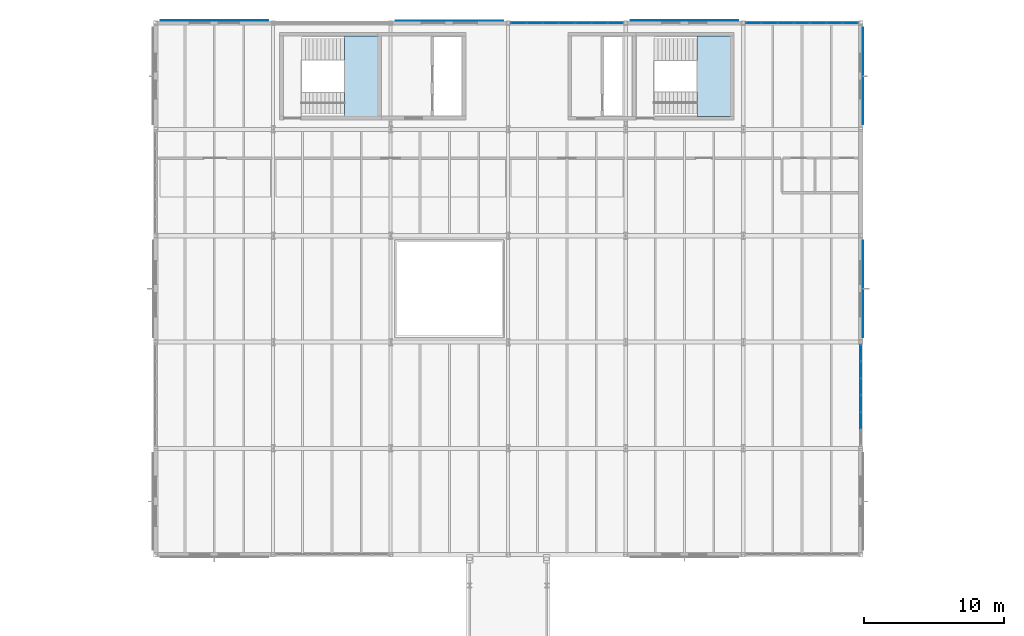
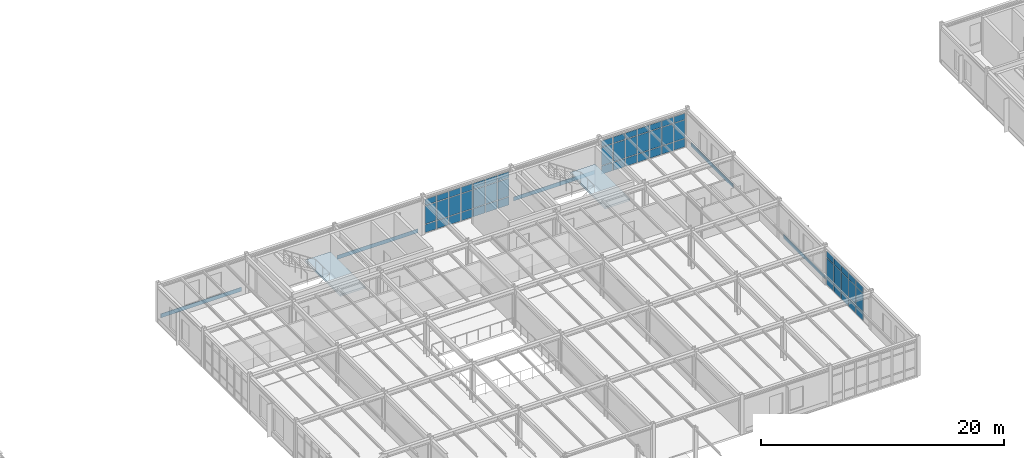
# One storey, part 128 of 165: 62 plates, 2 slabs, 5 elements without a shape of their own.
"""IFC4 building model written with IfcOpenShell, lengths in metres."""

from ifc_helpers import new_model, si_unit, direction, frame, origin, origin_2d, place, context, subcontext, project, spatial, polyline, rectangle, outline, extrude, material, layer, layer_set, type_object, element, aggregate, save


model = new_model("IFC4")

# Units and contexts
model_context = context("Model", 3, precision=1e-05, world=origin(), true_north=direction((0.0, 1.0)))
body_context = subcontext(model_context, "Body", "Model", "MODEL_VIEW")
ifc_project = project(units=[si_unit("LENGTHUNIT", "METRE"), si_unit("AREAUNIT", "SQUARE_METRE"), si_unit("VOLUMEUNIT", "CUBIC_METRE"), si_unit("PLANEANGLEUNIT", "RADIAN"), si_unit("MASSUNIT", "GRAM", prefix="KILO")], contexts=[model_context])

# Site, building, storey
site_placement = place(None, origin())
site = spatial("IfcSite", under=ifc_project, at=site_placement, CompositionType="ELEMENT")
building_placement = place(site_placement, origin())
building = spatial("IfcBuilding", under=site, at=building_placement, Name="Montecoro Central Library", CompositionType="ELEMENT")
storey_placement = place(building_placement, frame((0.0, 0.0, 5.10009765625)))
storey = spatial("IfcBuildingStorey", under=building, at=storey_placement, Name="L01", CompositionType="ELEMENT", Elevation=5.10009765625)

# Curtain wall, plates
ifc_material_1 = material(Name="Bronze-anodised aluminium and low-E glazing", Category="aluminium")
ifc_layer_1 = layer(ifc_material_1, 0.159912109375)
ifc_layer_set_1 = layer_set([ifc_layer_1], Name="Bronze-anodised aluminium and low-E glazing")
curtain_wall_type_1 = type_object("IfcCurtainWallType", Name="CWT-012", PredefinedType="NOTDEFINED", material=ifc_layer_set_1)
curtain_wall_1_placement = place(storey_placement, origin())
curtain_wall_1 = element("IfcCurtainWall", 1, at=curtain_wall_1_placement, inside=storey, type_object=curtain_wall_type_1, Name="V2-L01-CW-N3", PredefinedType="NOTDEFINED")
ifc_material_2 = material(Name="Laminated low-E double glazing", Category="glass")
ifc_layer_2 = layer(ifc_material_2, 0.02587890625)
ifc_layer_set_2 = layer_set([ifc_layer_2], Name="Laminated low-E double glazing")
plate_type_1 = type_object("IfcPlateType", Name="CWP-GLZ-01", PredefinedType="CURTAIN_PANEL", material=ifc_layer_set_2)
plate_1_placement = place(storey_placement, frame((99.25390625, 119.0, 0.059814453125), z_axis=(0.0, 0.0, 1.0), x_axis=(-1.0, 0.0, 0.0)))
plate_1 = element("IfcPlate", 2, at=plate_1_placement, type_object=plate_type_1, Name="CW-012 panel 1.1", PredefinedType="CURTAIN_PANEL", context=body_context, shape_type="SweptSolid", body=[
    extrude(rectangle(XDim=1.06640625, YDim=0.02587890625, at=origin_2d()), origin(), (0.0, 0.0, 1.0), 0.81005859375),
])
plate_2_placement = place(storey_placement, frame((99.25390625, 119.0, 0.9296875), z_axis=(0.0, 0.0, 1.0), x_axis=(-1.0, 0.0, 0.0)))
plate_2 = element("IfcPlate", 3, at=plate_2_placement, type_object=plate_type_1, Name="CW-012 panel 1.2", PredefinedType="CURTAIN_PANEL", context=body_context, shape_type="SweptSolid", body=[
    extrude(rectangle(XDim=1.06640625, YDim=0.02587890625, at=origin_2d()), origin(), (0.0, 0.0, 1.0), 1.820068359375),
])
plate_3_placement = place(storey_placement, frame((99.25390625, 119.0, 2.81005859375), z_axis=(0.0, 0.0, 1.0), x_axis=(-1.0, 0.0, 0.0)))
plate_3 = element("IfcPlate", 4, at=plate_3_placement, type_object=plate_type_1, Name="CW-012 panel 1.3", PredefinedType="CURTAIN_PANEL", context=body_context, shape_type="SweptSolid", body=[
    extrude(rectangle(XDim=1.06640625, YDim=0.02587890625, at=origin_2d()), origin(), (0.0, 0.0, 1.0), 0.610107421875),
])
plate_4_placement = place(storey_placement, frame((98.112548828125, 119.0, 0.059814453125), z_axis=(0.0, 0.0, 1.0), x_axis=(-1.0, 0.0, 0.0)))
plate_4 = element("IfcPlate", 5, at=plate_4_placement, type_object=plate_type_1, Name="CW-012 panel 2.1", PredefinedType="CURTAIN_PANEL", context=body_context, shape_type="SweptSolid", body=[
    extrude(rectangle(XDim=1.09619140625, YDim=0.02587890625, at=origin_2d()), origin(), (0.0, 0.0, 1.0), 0.81005859375),
])
plate_5_placement = place(storey_placement, frame((98.112548828125, 119.0, 0.9296875), z_axis=(0.0, 0.0, 1.0), x_axis=(-1.0, 0.0, 0.0)))
plate_5 = element("IfcPlate", 6, at=plate_5_placement, type_object=plate_type_1, Name="CW-012 panel 2.2", PredefinedType="CURTAIN_PANEL", context=body_context, shape_type="SweptSolid", body=[
    extrude(rectangle(XDim=1.09619140625, YDim=0.02587890625, at=origin_2d()), origin(), (0.0, 0.0, 1.0), 1.820068359375),
])
plate_6_placement = place(storey_placement, frame((98.112548828125, 119.0, 2.81005859375), z_axis=(0.0, 0.0, 1.0), x_axis=(-1.0, 0.0, 0.0)))
plate_6 = element("IfcPlate", 7, at=plate_6_placement, type_object=plate_type_1, Name="CW-012 panel 2.3", PredefinedType="CURTAIN_PANEL", context=body_context, shape_type="SweptSolid", body=[
    extrude(rectangle(XDim=1.09619140625, YDim=0.02587890625, at=origin_2d()), origin(), (0.0, 0.0, 1.0), 0.610107421875),
])
plate_7_placement = place(storey_placement, frame((96.956298828125, 119.0, 0.059814453125), z_axis=(0.0, 0.0, 1.0), x_axis=(-1.0, 0.0, 0.0)))
plate_7 = element("IfcPlate", 8, at=plate_7_placement, type_object=plate_type_1, Name="CW-012 panel 3.1", PredefinedType="CURTAIN_PANEL", context=body_context, shape_type="SweptSolid", body=[
    extrude(rectangle(XDim=1.09619140625, YDim=0.02587890625, at=origin_2d()), origin(), (0.0, 0.0, 1.0), 0.81005859375),
])
plate_8_placement = place(storey_placement, frame((96.956298828125, 119.0, 0.9296875), z_axis=(0.0, 0.0, 1.0), x_axis=(-1.0, 0.0, 0.0)))
plate_8 = element("IfcPlate", 9, at=plate_8_placement, type_object=plate_type_1, Name="CW-012 panel 3.2", PredefinedType="CURTAIN_PANEL", context=body_context, shape_type="SweptSolid", body=[
    extrude(rectangle(XDim=1.09619140625, YDim=0.02587890625, at=origin_2d()), origin(), (0.0, 0.0, 1.0), 1.820068359375),
])
plate_9_placement = place(storey_placement, frame((96.956298828125, 119.0, 2.81005859375), z_axis=(0.0, 0.0, 1.0), x_axis=(-1.0, 0.0, 0.0)))
plate_9 = element("IfcPlate", 10, at=plate_9_placement, type_object=plate_type_1, Name="CW-012 panel 3.3", PredefinedType="CURTAIN_PANEL", context=body_context, shape_type="SweptSolid", body=[
    extrude(rectangle(XDim=1.09619140625, YDim=0.02587890625, at=origin_2d()), origin(), (0.0, 0.0, 1.0), 0.610107421875),
])
plate_10_placement = place(storey_placement, frame((95.800048828125, 119.0, 0.059814453125), z_axis=(0.0, 0.0, 1.0), x_axis=(-1.0, 0.0, 0.0)))
plate_10 = element("IfcPlate", 11, at=plate_10_placement, type_object=plate_type_1, Name="CW-012 panel 4.1", PredefinedType="CURTAIN_PANEL", context=body_context, shape_type="SweptSolid", body=[
    extrude(rectangle(XDim=1.09619140625, YDim=0.02587890625, at=origin_2d()), origin(), (0.0, 0.0, 1.0), 0.81005859375),
])
plate_11_placement = place(storey_placement, frame((95.800048828125, 119.0, 0.9296875), z_axis=(0.0, 0.0, 1.0), x_axis=(-1.0, 0.0, 0.0)))
plate_11 = element("IfcPlate", 12, at=plate_11_placement, type_object=plate_type_1, Name="CW-012 panel 4.2", PredefinedType="CURTAIN_PANEL", context=body_context, shape_type="SweptSolid", body=[
    extrude(rectangle(XDim=1.09619140625, YDim=0.02587890625, at=origin_2d()), origin(), (0.0, 0.0, 1.0), 1.820068359375),
])
plate_12_placement = place(storey_placement, frame((95.800048828125, 119.0, 2.81005859375), z_axis=(0.0, 0.0, 1.0), x_axis=(-1.0, 0.0, 0.0)))
plate_12 = element("IfcPlate", 13, at=plate_12_placement, type_object=plate_type_1, Name="CW-012 panel 4.3", PredefinedType="CURTAIN_PANEL", context=body_context, shape_type="SweptSolid", body=[
    extrude(rectangle(XDim=1.09619140625, YDim=0.02587890625, at=origin_2d()), origin(), (0.0, 0.0, 1.0), 0.610107421875),
])
plate_13_placement = place(storey_placement, frame((94.643798828125, 119.0, 0.059814453125), z_axis=(0.0, 0.0, 1.0), x_axis=(-1.0, 0.0, 0.0)))
plate_13 = element("IfcPlate", 14, at=plate_13_placement, type_object=plate_type_1, Name="CW-012 panel 5.1", PredefinedType="CURTAIN_PANEL", context=body_context, shape_type="SweptSolid", body=[
    extrude(rectangle(XDim=1.09619140625, YDim=0.02587890625, at=origin_2d()), origin(), (0.0, 0.0, 1.0), 0.81005859375),
])
plate_14_placement = place(storey_placement, frame((94.643798828125, 119.0, 0.9296875), z_axis=(0.0, 0.0, 1.0), x_axis=(-1.0, 0.0, 0.0)))
plate_14 = element("IfcPlate", 15, at=plate_14_placement, type_object=plate_type_1, Name="CW-012 panel 5.2", PredefinedType="CURTAIN_PANEL", context=body_context, shape_type="SweptSolid", body=[
    extrude(rectangle(XDim=1.09619140625, YDim=0.02587890625, at=origin_2d()), origin(), (0.0, 0.0, 1.0), 1.820068359375),
])
plate_15_placement = place(storey_placement, frame((94.643798828125, 119.0, 2.81005859375), z_axis=(0.0, 0.0, 1.0), x_axis=(-1.0, 0.0, 0.0)))
plate_15 = element("IfcPlate", 16, at=plate_15_placement, type_object=plate_type_1, Name="CW-012 panel 5.3", PredefinedType="CURTAIN_PANEL", context=body_context, shape_type="SweptSolid", body=[
    extrude(rectangle(XDim=1.09619140625, YDim=0.02587890625, at=origin_2d()), origin(), (0.0, 0.0, 1.0), 0.610107421875),
])
plate_16_placement = place(storey_placement, frame((93.487548828125, 119.0, 0.059814453125), z_axis=(0.0, 0.0, 1.0), x_axis=(-1.0, 0.0, 0.0)))
plate_16 = element("IfcPlate", 17, at=plate_16_placement, type_object=plate_type_1, Name="CW-012 panel 6.1", PredefinedType="CURTAIN_PANEL", context=body_context, shape_type="SweptSolid", body=[
    extrude(rectangle(XDim=1.09619140625, YDim=0.02587890625, at=origin_2d()), origin(), (0.0, 0.0, 1.0), 0.81005859375),
])
plate_17_placement = place(storey_placement, frame((93.487548828125, 119.0, 0.9296875), z_axis=(0.0, 0.0, 1.0), x_axis=(-1.0, 0.0, 0.0)))
plate_17 = element("IfcPlate", 18, at=plate_17_placement, type_object=plate_type_1, Name="CW-012 panel 6.2", PredefinedType="CURTAIN_PANEL", context=body_context, shape_type="SweptSolid", body=[
    extrude(rectangle(XDim=1.09619140625, YDim=0.02587890625, at=origin_2d()), origin(), (0.0, 0.0, 1.0), 1.820068359375),
])
plate_18_placement = place(storey_placement, frame((93.487548828125, 119.0, 2.81005859375), z_axis=(0.0, 0.0, 1.0), x_axis=(-1.0, 0.0, 0.0)))
plate_18 = element("IfcPlate", 19, at=plate_18_placement, type_object=plate_type_1, Name="CW-012 panel 6.3", PredefinedType="CURTAIN_PANEL", context=body_context, shape_type="SweptSolid", body=[
    extrude(rectangle(XDim=1.09619140625, YDim=0.02587890625, at=origin_2d()), origin(), (0.0, 0.0, 1.0), 0.610107421875),
])
plate_19_placement = place(storey_placement, frame((92.34619140625, 119.0, 0.059814453125), z_axis=(0.0, 0.0, 1.0), x_axis=(-1.0, 0.0, 0.0)))
plate_19 = element("IfcPlate", 20, at=plate_19_placement, type_object=plate_type_1, Name="CW-012 panel 7.1", PredefinedType="CURTAIN_PANEL", context=body_context, shape_type="SweptSolid", body=[
    extrude(rectangle(XDim=1.06640625, YDim=0.02587890625, at=origin_2d()), origin(), (0.0, 0.0, 1.0), 0.81005859375),
])
plate_20_placement = place(storey_placement, frame((92.34619140625, 119.0, 0.9296875), z_axis=(0.0, 0.0, 1.0), x_axis=(-1.0, 0.0, 0.0)))
plate_20 = element("IfcPlate", 21, at=plate_20_placement, type_object=plate_type_1, Name="CW-012 panel 7.2", PredefinedType="CURTAIN_PANEL", context=body_context, shape_type="SweptSolid", body=[
    extrude(rectangle(XDim=1.06640625, YDim=0.02587890625, at=origin_2d()), origin(), (0.0, 0.0, 1.0), 1.820068359375),
])
plate_21_placement = place(storey_placement, frame((92.34619140625, 119.0, 2.81005859375), z_axis=(0.0, 0.0, 1.0), x_axis=(-1.0, 0.0, 0.0)))
plate_21 = element("IfcPlate", 22, at=plate_21_placement, type_object=plate_type_1, Name="CW-012 panel 7.3", PredefinedType="CURTAIN_PANEL", context=body_context, shape_type="SweptSolid", body=[
    extrude(rectangle(XDim=1.06640625, YDim=0.02587890625, at=origin_2d()), origin(), (0.0, 0.0, 1.0), 0.610107421875),
])
aggregate(curtain_wall_1, [plate_1, plate_2, plate_3, plate_4, plate_5, plate_6, plate_7, plate_8, plate_9, plate_10, plate_11, plate_12, plate_13, plate_14, plate_15, plate_16, plate_17, plate_18, plate_19, plate_20, plate_21])

curtain_wall_2_placement = place(storey_placement, origin())
curtain_wall_2 = element("IfcCurtainWall", 23, at=curtain_wall_2_placement, inside=storey, type_object=curtain_wall_type_1, Name="V2-L01-CW-N5", PredefinedType="NOTDEFINED")
ifc_layer_3 = layer(ifc_material_2, 0.033935546875)
ifc_layer_set_3 = layer_set([ifc_layer_3], Name="Laminated low-E double glazing")
plate_type_2 = type_object("IfcPlateType", Name="CWP-GLZ-03", PredefinedType="CURTAIN_PANEL", material=ifc_layer_set_3)
plate_22_placement = place(storey_placement, frame((116.053955078125, 119.0, 0.059814453125), z_axis=(0.0, 0.0, 1.0), x_axis=(-1.0, 0.0, 0.0)))
plate_22 = element("IfcPlate", 24, at=plate_22_placement, type_object=plate_type_2, Name="CW-012 panel 1.1", PredefinedType="CURTAIN_PANEL", context=body_context, shape_type="SweptSolid", body=[
    extrude(rectangle(XDim=1.06640625, YDim=0.033935546875, at=origin_2d()), origin(), (0.0, 0.0, 1.0), 0.81005859375),
])
plate_23_placement = place(storey_placement, frame((116.053955078125, 119.0, 0.9296875), z_axis=(0.0, 0.0, 1.0), x_axis=(-1.0, 0.0, 0.0)))
plate_23 = element("IfcPlate", 25, at=plate_23_placement, type_object=plate_type_2, Name="CW-012 panel 1.2", PredefinedType="CURTAIN_PANEL", context=body_context, shape_type="SweptSolid", body=[
    extrude(rectangle(XDim=1.06640625, YDim=0.033935546875, at=origin_2d()), origin(), (0.0, 0.0, 1.0), 1.820068359375),
])
plate_24_placement = place(storey_placement, frame((116.053955078125, 119.0, 2.81005859375), z_axis=(0.0, 0.0, 1.0), x_axis=(-1.0, 0.0, 0.0)))
plate_24 = element("IfcPlate", 26, at=plate_24_placement, type_object=plate_type_2, Name="CW-012 panel 1.3", PredefinedType="CURTAIN_PANEL", context=body_context, shape_type="SweptSolid", body=[
    extrude(rectangle(XDim=1.06640625, YDim=0.033935546875, at=origin_2d()), origin(), (0.0, 0.0, 1.0), 0.610107421875),
])
plate_25_placement = place(storey_placement, frame((114.91259765625, 119.0, 0.059814453125), z_axis=(0.0, 0.0, 1.0), x_axis=(-1.0, 0.0, 0.0)))
plate_25 = element("IfcPlate", 27, at=plate_25_placement, type_object=plate_type_2, Name="CW-012 panel 2.1", PredefinedType="CURTAIN_PANEL", context=body_context, shape_type="SweptSolid", body=[
    extrude(rectangle(XDim=1.09619140625, YDim=0.033935546875, at=origin_2d()), origin(), (0.0, 0.0, 1.0), 0.81005859375),
])
plate_26_placement = place(storey_placement, frame((114.91259765625, 119.0, 0.9296875), z_axis=(0.0, 0.0, 1.0), x_axis=(-1.0, 0.0, 0.0)))
plate_26 = element("IfcPlate", 28, at=plate_26_placement, type_object=plate_type_2, Name="CW-012 panel 2.2", PredefinedType="CURTAIN_PANEL", context=body_context, shape_type="SweptSolid", body=[
    extrude(rectangle(XDim=1.09619140625, YDim=0.033935546875, at=origin_2d()), origin(), (0.0, 0.0, 1.0), 1.820068359375),
])
plate_27_placement = place(storey_placement, frame((114.91259765625, 119.0, 2.81005859375), z_axis=(0.0, 0.0, 1.0), x_axis=(-1.0, 0.0, 0.0)))
plate_27 = element("IfcPlate", 29, at=plate_27_placement, type_object=plate_type_2, Name="CW-012 panel 2.3", PredefinedType="CURTAIN_PANEL", context=body_context, shape_type="SweptSolid", body=[
    extrude(rectangle(XDim=1.09619140625, YDim=0.033935546875, at=origin_2d()), origin(), (0.0, 0.0, 1.0), 0.610107421875),
])
plate_28_placement = place(storey_placement, frame((113.75634765625, 119.0, 0.059814453125), z_axis=(0.0, 0.0, 1.0), x_axis=(-1.0, 0.0, 0.0)))
plate_28 = element("IfcPlate", 30, at=plate_28_placement, type_object=plate_type_2, Name="CW-012 panel 3.1", PredefinedType="CURTAIN_PANEL", context=body_context, shape_type="SweptSolid", body=[
    extrude(rectangle(XDim=1.09619140625, YDim=0.033935546875, at=origin_2d()), origin(), (0.0, 0.0, 1.0), 0.81005859375),
])
plate_29_placement = place(storey_placement, frame((113.75634765625, 119.0, 0.9296875), z_axis=(0.0, 0.0, 1.0), x_axis=(-1.0, 0.0, 0.0)))
plate_29 = element("IfcPlate", 31, at=plate_29_placement, type_object=plate_type_2, Name="CW-012 panel 3.2", PredefinedType="CURTAIN_PANEL", context=body_context, shape_type="SweptSolid", body=[
    extrude(rectangle(XDim=1.09619140625, YDim=0.033935546875, at=origin_2d()), origin(), (0.0, 0.0, 1.0), 1.820068359375),
])
plate_30_placement = place(storey_placement, frame((113.75634765625, 119.0, 2.81005859375), z_axis=(0.0, 0.0, 1.0), x_axis=(-1.0, 0.0, 0.0)))
plate_30 = element("IfcPlate", 32, at=plate_30_placement, type_object=plate_type_2, Name="CW-012 panel 3.3", PredefinedType="CURTAIN_PANEL", context=body_context, shape_type="SweptSolid", body=[
    extrude(rectangle(XDim=1.09619140625, YDim=0.033935546875, at=origin_2d()), origin(), (0.0, 0.0, 1.0), 0.610107421875),
])
plate_31_placement = place(storey_placement, frame((112.60009765625, 119.0, 0.059814453125), z_axis=(0.0, 0.0, 1.0), x_axis=(-1.0, 0.0, 0.0)))
plate_31 = element("IfcPlate", 33, at=plate_31_placement, type_object=plate_type_2, Name="CW-012 panel 4.1", PredefinedType="CURTAIN_PANEL", context=body_context, shape_type="SweptSolid", body=[
    extrude(rectangle(XDim=1.09619140625, YDim=0.033935546875, at=origin_2d()), origin(), (0.0, 0.0, 1.0), 0.81005859375),
])
plate_32_placement = place(storey_placement, frame((112.60009765625, 119.0, 0.9296875), z_axis=(0.0, 0.0, 1.0), x_axis=(-1.0, 0.0, 0.0)))
plate_32 = element("IfcPlate", 34, at=plate_32_placement, type_object=plate_type_2, Name="CW-012 panel 4.2", PredefinedType="CURTAIN_PANEL", context=body_context, shape_type="SweptSolid", body=[
    extrude(rectangle(XDim=1.09619140625, YDim=0.033935546875, at=origin_2d()), origin(), (0.0, 0.0, 1.0), 1.820068359375),
])
plate_33_placement = place(storey_placement, frame((112.60009765625, 119.0, 2.81005859375), z_axis=(0.0, 0.0, 1.0), x_axis=(-1.0, 0.0, 0.0)))
plate_33 = element("IfcPlate", 35, at=plate_33_placement, type_object=plate_type_2, Name="CW-012 panel 4.3", PredefinedType="CURTAIN_PANEL", context=body_context, shape_type="SweptSolid", body=[
    extrude(rectangle(XDim=1.09619140625, YDim=0.033935546875, at=origin_2d()), origin(), (0.0, 0.0, 1.0), 0.610107421875),
])
plate_34_placement = place(storey_placement, frame((111.443603515625, 119.0, 0.059814453125), z_axis=(0.0, 0.0, 1.0), x_axis=(-1.0, 0.0, 0.0)))
plate_34 = element("IfcPlate", 36, at=plate_34_placement, type_object=plate_type_2, Name="CW-012 panel 5.1", PredefinedType="CURTAIN_PANEL", context=body_context, shape_type="SweptSolid", body=[
    extrude(rectangle(XDim=1.09619140625, YDim=0.033935546875, at=origin_2d()), origin(), (0.0, 0.0, 1.0), 0.81005859375),
])
plate_35_placement = place(storey_placement, frame((111.443603515625, 119.0, 0.9296875), z_axis=(0.0, 0.0, 1.0), x_axis=(-1.0, 0.0, 0.0)))
plate_35 = element("IfcPlate", 37, at=plate_35_placement, type_object=plate_type_2, Name="CW-012 panel 5.2", PredefinedType="CURTAIN_PANEL", context=body_context, shape_type="SweptSolid", body=[
    extrude(rectangle(XDim=1.09619140625, YDim=0.033935546875, at=origin_2d()), origin(), (0.0, 0.0, 1.0), 1.820068359375),
])
plate_36_placement = place(storey_placement, frame((111.443603515625, 119.0, 2.81005859375), z_axis=(0.0, 0.0, 1.0), x_axis=(-1.0, 0.0, 0.0)))
plate_36 = element("IfcPlate", 38, at=plate_36_placement, type_object=plate_type_2, Name="CW-012 panel 5.3", PredefinedType="CURTAIN_PANEL", context=body_context, shape_type="SweptSolid", body=[
    extrude(rectangle(XDim=1.09619140625, YDim=0.033935546875, at=origin_2d()), origin(), (0.0, 0.0, 1.0), 0.610107421875),
])
plate_37_placement = place(storey_placement, frame((110.287353515625, 119.0, 0.059814453125), z_axis=(0.0, 0.0, 1.0), x_axis=(-1.0, 0.0, 0.0)))
plate_37 = element("IfcPlate", 39, at=plate_37_placement, type_object=plate_type_2, Name="CW-012 panel 6.1", PredefinedType="CURTAIN_PANEL", context=body_context, shape_type="SweptSolid", body=[
    extrude(rectangle(XDim=1.09619140625, YDim=0.033935546875, at=origin_2d()), origin(), (0.0, 0.0, 1.0), 0.81005859375),
])
plate_38_placement = place(storey_placement, frame((110.287353515625, 119.0, 0.9296875), z_axis=(0.0, 0.0, 1.0), x_axis=(-1.0, 0.0, 0.0)))
plate_38 = element("IfcPlate", 40, at=plate_38_placement, type_object=plate_type_2, Name="CW-012 panel 6.2", PredefinedType="CURTAIN_PANEL", context=body_context, shape_type="SweptSolid", body=[
    extrude(rectangle(XDim=1.09619140625, YDim=0.033935546875, at=origin_2d()), origin(), (0.0, 0.0, 1.0), 1.820068359375),
])
plate_39_placement = place(storey_placement, frame((110.287353515625, 119.0, 2.81005859375), z_axis=(0.0, 0.0, 1.0), x_axis=(-1.0, 0.0, 0.0)))
plate_39 = element("IfcPlate", 41, at=plate_39_placement, type_object=plate_type_2, Name="CW-012 panel 6.3", PredefinedType="CURTAIN_PANEL", context=body_context, shape_type="SweptSolid", body=[
    extrude(rectangle(XDim=1.09619140625, YDim=0.033935546875, at=origin_2d()), origin(), (0.0, 0.0, 1.0), 0.610107421875),
])
plate_40_placement = place(storey_placement, frame((109.146240234375, 119.0, 0.059814453125), z_axis=(0.0, 0.0, 1.0), x_axis=(-1.0, 0.0, 0.0)))
plate_40 = element("IfcPlate", 42, at=plate_40_placement, type_object=plate_type_2, Name="CW-012 panel 7.1", PredefinedType="CURTAIN_PANEL", context=body_context, shape_type="SweptSolid", body=[
    extrude(rectangle(XDim=1.06640625, YDim=0.033935546875, at=origin_2d()), origin(), (0.0, 0.0, 1.0), 0.81005859375),
])
plate_41_placement = place(storey_placement, frame((109.146240234375, 119.0, 0.9296875), z_axis=(0.0, 0.0, 1.0), x_axis=(-1.0, 0.0, 0.0)))
plate_41 = element("IfcPlate", 43, at=plate_41_placement, type_object=plate_type_2, Name="CW-012 panel 7.2", PredefinedType="CURTAIN_PANEL", context=body_context, shape_type="SweptSolid", body=[
    extrude(rectangle(XDim=1.06640625, YDim=0.033935546875, at=origin_2d()), origin(), (0.0, 0.0, 1.0), 1.820068359375),
])
plate_42_placement = place(storey_placement, frame((109.146240234375, 119.0, 2.81005859375), z_axis=(0.0, 0.0, 1.0), x_axis=(-1.0, 0.0, 0.0)))
plate_42 = element("IfcPlate", 44, at=plate_42_placement, type_object=plate_type_2, Name="CW-012 panel 7.3", PredefinedType="CURTAIN_PANEL", context=body_context, shape_type="SweptSolid", body=[
    extrude(rectangle(XDim=1.06640625, YDim=0.033935546875, at=origin_2d()), origin(), (0.0, 0.0, 1.0), 0.610107421875),
])
aggregate(curtain_wall_2, [plate_22, plate_23, plate_24, plate_25, plate_26, plate_27, plate_28, plate_29, plate_30, plate_31, plate_32, plate_33, plate_34, plate_35, plate_36, plate_37, plate_38, plate_39, plate_40, plate_41, plate_42])

ifc_layer_4 = layer(ifc_material_1, 0.159912109375)
ifc_layer_set_4 = layer_set([ifc_layer_4], Name="Bronze-anodised aluminium and low-E glazing")
curtain_wall_type_2 = type_object("IfcCurtainWallType", Name="CWT-011", PredefinedType="NOTDEFINED", material=ifc_layer_set_4)
curtain_wall_3_placement = place(storey_placement, origin())
curtain_wall_3 = element("IfcCurtainWall", 45, at=curtain_wall_3_placement, inside=storey, type_object=curtain_wall_type_2, Name="V2-L01-CW-E1", PredefinedType="NOTDEFINED")
ifc_layer_5 = layer(ifc_material_2, 0.0380859375)
ifc_layer_set_5 = layer_set([ifc_layer_5], Name="Laminated low-E double glazing")
plate_type_3 = type_object("IfcPlateType", Name="CWP-GLZ-04", PredefinedType="CURTAIN_PANEL", material=ifc_layer_set_5)
plate_43_placement = place(storey_placement, frame((116.800048828125, 90.576416015625, 0.059814453125), z_axis=(0.0, 0.0, 1.0), x_axis=(0.0, 1.0, 0.0)))
plate_43 = element("IfcPlate", 46, at=plate_43_placement, type_object=plate_type_3, Name="CW-011 panel 2.1", PredefinedType="CURTAIN_PANEL", context=body_context, shape_type="SweptSolid", body=[
    extrude(rectangle(XDim=1.15576171875, YDim=0.0380859375, at=origin_2d()), origin(), (0.0, 0.0, 1.0), 0.81005859375),
])
plate_44_placement = place(storey_placement, frame((116.800048828125, 90.576416015625, 0.9296875), z_axis=(0.0, 0.0, 1.0), x_axis=(0.0, 1.0, 0.0)))
plate_44 = element("IfcPlate", 47, at=plate_44_placement, type_object=plate_type_3, Name="CW-011 panel 2.2", PredefinedType="CURTAIN_PANEL", context=body_context, shape_type="SweptSolid", body=[
    extrude(rectangle(XDim=1.15576171875, YDim=0.0380859375, at=origin_2d()), origin(), (0.0, 0.0, 1.0), 1.820068359375),
])
plate_45_placement = place(storey_placement, frame((116.800048828125, 90.576416015625, 2.81005859375), z_axis=(0.0, 0.0, 1.0), x_axis=(0.0, 1.0, 0.0)))
plate_45 = element("IfcPlate", 48, at=plate_45_placement, type_object=plate_type_3, Name="CW-011 panel 2.3", PredefinedType="CURTAIN_PANEL", context=body_context, shape_type="SweptSolid", body=[
    extrude(rectangle(XDim=1.15576171875, YDim=0.0380859375, at=origin_2d()), origin(), (0.0, 0.0, 1.0), 0.610107421875),
])
plate_46_placement = place(storey_placement, frame((116.800048828125, 91.792236328125, 0.059814453125), z_axis=(0.0, 0.0, 1.0), x_axis=(0.0, 1.0, 0.0)))
plate_46 = element("IfcPlate", 49, at=plate_46_placement, type_object=plate_type_3, Name="CW-011 panel 3.1", PredefinedType="CURTAIN_PANEL", context=body_context, shape_type="SweptSolid", body=[
    extrude(rectangle(XDim=1.15576171875, YDim=0.0380859375, at=origin_2d()), origin(), (0.0, 0.0, 1.0), 0.81005859375),
])
plate_47_placement = place(storey_placement, frame((116.800048828125, 91.792236328125, 0.9296875), z_axis=(0.0, 0.0, 1.0), x_axis=(0.0, 1.0, 0.0)))
plate_47 = element("IfcPlate", 50, at=plate_47_placement, type_object=plate_type_3, Name="CW-011 panel 3.2", PredefinedType="CURTAIN_PANEL", context=body_context, shape_type="SweptSolid", body=[
    extrude(rectangle(XDim=1.15576171875, YDim=0.0380859375, at=origin_2d()), origin(), (0.0, 0.0, 1.0), 1.820068359375),
])
plate_48_placement = place(storey_placement, frame((116.800048828125, 91.792236328125, 2.81005859375), z_axis=(0.0, 0.0, 1.0), x_axis=(0.0, 1.0, 0.0)))
plate_48 = element("IfcPlate", 51, at=plate_48_placement, type_object=plate_type_3, Name="CW-011 panel 3.3", PredefinedType="CURTAIN_PANEL", context=body_context, shape_type="SweptSolid", body=[
    extrude(rectangle(XDim=1.15576171875, YDim=0.0380859375, at=origin_2d()), origin(), (0.0, 0.0, 1.0), 0.610107421875),
])
plate_49_placement = place(storey_placement, frame((116.800048828125, 93.0078125, 0.059814453125), z_axis=(0.0, 0.0, 1.0), x_axis=(0.0, 1.0, 0.0)))
plate_49 = element("IfcPlate", 52, at=plate_49_placement, type_object=plate_type_3, Name="CW-011 panel 4.1", PredefinedType="CURTAIN_PANEL", context=body_context, shape_type="SweptSolid", body=[
    extrude(rectangle(XDim=1.15576171875, YDim=0.0380859375, at=origin_2d()), origin(), (0.0, 0.0, 1.0), 0.81005859375),
])
plate_50_placement = place(storey_placement, frame((116.800048828125, 93.0078125, 0.9296875), z_axis=(0.0, 0.0, 1.0), x_axis=(0.0, 1.0, 0.0)))
plate_50 = element("IfcPlate", 53, at=plate_50_placement, type_object=plate_type_3, Name="CW-011 panel 4.2", PredefinedType="CURTAIN_PANEL", context=body_context, shape_type="SweptSolid", body=[
    extrude(rectangle(XDim=1.15576171875, YDim=0.0380859375, at=origin_2d()), origin(), (0.0, 0.0, 1.0), 1.820068359375),
])
plate_51_placement = place(storey_placement, frame((116.800048828125, 93.0078125, 2.81005859375), z_axis=(0.0, 0.0, 1.0), x_axis=(0.0, 1.0, 0.0)))
plate_51 = element("IfcPlate", 54, at=plate_51_placement, type_object=plate_type_3, Name="CW-011 panel 4.3", PredefinedType="CURTAIN_PANEL", context=body_context, shape_type="SweptSolid", body=[
    extrude(rectangle(XDim=1.15576171875, YDim=0.0380859375, at=origin_2d()), origin(), (0.0, 0.0, 1.0), 0.610107421875),
])
plate_52_placement = place(storey_placement, frame((116.800048828125, 94.223388671875, 0.059814453125), z_axis=(0.0, 0.0, 1.0), x_axis=(0.0, 1.0, 0.0)))
plate_52 = element("IfcPlate", 55, at=plate_52_placement, type_object=plate_type_3, Name="CW-011 panel 5.1", PredefinedType="CURTAIN_PANEL", context=body_context, shape_type="SweptSolid", body=[
    extrude(rectangle(XDim=1.15576171875, YDim=0.0380859375, at=origin_2d()), origin(), (0.0, 0.0, 1.0), 0.81005859375),
])
plate_53_placement = place(storey_placement, frame((116.800048828125, 94.223388671875, 0.9296875), z_axis=(0.0, 0.0, 1.0), x_axis=(0.0, 1.0, 0.0)))
plate_53 = element("IfcPlate", 56, at=plate_53_placement, type_object=plate_type_3, Name="CW-011 panel 5.2", PredefinedType="CURTAIN_PANEL", context=body_context, shape_type="SweptSolid", body=[
    extrude(rectangle(XDim=1.15576171875, YDim=0.0380859375, at=origin_2d()), origin(), (0.0, 0.0, 1.0), 1.820068359375),
])
plate_54_placement = place(storey_placement, frame((116.800048828125, 94.223388671875, 2.81005859375), z_axis=(0.0, 0.0, 1.0), x_axis=(0.0, 1.0, 0.0)))
plate_54 = element("IfcPlate", 57, at=plate_54_placement, type_object=plate_type_3, Name="CW-011 panel 5.3", PredefinedType="CURTAIN_PANEL", context=body_context, shape_type="SweptSolid", body=[
    extrude(rectangle(XDim=1.15576171875, YDim=0.0380859375, at=origin_2d()), origin(), (0.0, 0.0, 1.0), 0.610107421875),
])
plate_55_placement = place(storey_placement, frame((116.800048828125, 95.424072265625, 0.059814453125), z_axis=(0.0, 0.0, 1.0), x_axis=(0.0, 1.0, 0.0)))
plate_55 = element("IfcPlate", 58, at=plate_55_placement, type_object=plate_type_3, Name="CW-011 panel 6.1", PredefinedType="CURTAIN_PANEL", context=body_context, shape_type="SweptSolid", body=[
    extrude(rectangle(XDim=1.125732421875, YDim=0.0380859375, at=origin_2d()), origin(), (0.0, 0.0, 1.0), 0.81005859375),
])
plate_56_placement = place(storey_placement, frame((116.800048828125, 95.424072265625, 0.9296875), z_axis=(0.0, 0.0, 1.0), x_axis=(0.0, 1.0, 0.0)))
plate_56 = element("IfcPlate", 59, at=plate_56_placement, type_object=plate_type_3, Name="CW-011 panel 6.2", PredefinedType="CURTAIN_PANEL", context=body_context, shape_type="SweptSolid", body=[
    extrude(rectangle(XDim=1.125732421875, YDim=0.0380859375, at=origin_2d()), origin(), (0.0, 0.0, 1.0), 1.820068359375),
])
plate_57_placement = place(storey_placement, frame((116.800048828125, 95.424072265625, 2.81005859375), z_axis=(0.0, 0.0, 1.0), x_axis=(0.0, 1.0, 0.0)))
plate_57 = element("IfcPlate", 60, at=plate_57_placement, type_object=plate_type_3, Name="CW-011 panel 6.3", PredefinedType="CURTAIN_PANEL", context=body_context, shape_type="SweptSolid", body=[
    extrude(rectangle(XDim=1.125732421875, YDim=0.0380859375, at=origin_2d()), origin(), (0.0, 0.0, 1.0), 0.610107421875),
])
aggregate(curtain_wall_3, [plate_43, plate_44, plate_45, plate_46, plate_47, plate_48, plate_49, plate_50, plate_51, plate_52, plate_53, plate_54, plate_55, plate_56, plate_57])

# Plates
ifc_material_3 = material(Name="Architectural bronze spandrel plate", Category="aluminium")
ifc_layer_6 = layer(ifc_material_3, 0.02197265625)
ifc_layer_set_6 = layer_set([ifc_layer_6], Name="Architectural bronze spandrel plate")
plate_type_4 = type_object("IfcPlateType", Name="PLT-SPN-01", PredefinedType="SHEET", material=ifc_layer_set_6)
plate_58_placement = place(storey_placement, frame((116.966064453125, 100.0, 0.159912109375), z_axis=(0.0, 0.0, 1.0), x_axis=(0.0, 1.0, 0.0)))
element("IfcPlate", 61, at=plate_58_placement, inside=storey, type_object=plate_type_4, Name="V2-L01-SPN-E2", PredefinedType="SHEET", context=body_context, shape_type="SweptSolid", body=[
    extrude(rectangle(XDim=6.89404296875, YDim=0.02197265625, at=origin_2d()), origin(), (0.0, 0.0, 1.0), 0.39990234375),
])
plate_59_placement = place(storey_placement, frame((87.39990234375, 119.166015625, 0.159912109375), z_axis=(0.0, 0.0, 1.0), x_axis=(-1.0, 0.0, 0.0)))
element("IfcPlate", 62, at=plate_59_placement, inside=storey, type_object=plate_type_4, Name="V2-L01-SPN-N2", PredefinedType="SHEET", context=body_context, shape_type="SweptSolid", body=[
    extrude(rectangle(XDim=7.694091796875, YDim=0.02197265625, at=origin_2d()), origin(), (0.0, 0.0, 1.0), 0.39990234375),
])
ifc_layer_7 = layer(ifc_material_3, 0.035888671875)
ifc_layer_set_7 = layer_set([ifc_layer_7], Name="Architectural bronze spandrel plate")
plate_type_5 = type_object("IfcPlateType", Name="PLT-SPN-03", PredefinedType="SHEET", material=ifc_layer_set_7)
plate_60_placement = place(storey_placement, frame((116.972900390625, 115.199951171875, 0.159912109375), z_axis=(0.0, 0.0, 1.0), x_axis=(0.0, 1.0, 0.0)))
element("IfcPlate", 63, at=plate_60_placement, inside=storey, type_object=plate_type_5, Name="V2-L01-SPN-E4", PredefinedType="SHEET", context=body_context, shape_type="SweptSolid", body=[
    extrude(rectangle(XDim=6.89404296875, YDim=0.035888671875, at=origin_2d()), origin(), (0.0, 0.0, 1.0), 0.39990234375),
])
for number, where, z_axis, x_axis, name in (
    (64, (104.199951171875, 119.173095703125, 0.159912109375), (0.0, 0.0, 1.0), (-1.0, 0.0, 0.0), "V2-L01-SPN-N4"),
    (65, (70.60009765625, 119.173095703125, 0.159912109375), (0.0, 0.0, 1.0), (-1.0, 0.0, 0.0), "V2-L01-SPN-N0"),
):
    element("IfcPlate", number, at=place(storey_placement, frame(where, z_axis=z_axis, x_axis=x_axis)), inside=storey, type_object=plate_type_5, Name=name, PredefinedType="SHEET", context=body_context, shape_type="SweptSolid", body=[
        extrude(rectangle(XDim=7.694091796875, YDim=0.035888671875, at=origin_2d()), origin(), (0.0, 0.0, 1.0), 0.39990234375),
    ])

# Stair, slab
ifc_material_4 = material(Name="Concrete C35/45", Category="concrete")
stair_type_1 = type_object("IfcStairType", Name="STR-RET-155", PredefinedType="HALF_TURN_STAIR", material=ifc_material_4)
stair_1_placement = place(storey_placement, origin())
stair_1 = element("IfcStair", 66, at=stair_1_placement, inside=storey, type_object=stair_type_1, Name="C2-L01-STR", PredefinedType="HALF_TURN_STAIR")
ifc_layer_8 = layer(ifc_material_4, 0.199951171875)
ifc_layer_set_8 = layer_set([ifc_layer_8], Name="Concrete C35/45")
slab_type = type_object("IfcSlabType", Name="SL-LND-200", PredefinedType="LANDING", material=ifc_layer_set_8)
slab_1_placement = place(storey_placement, frame((0.0, 0.0, 1.83984375)))
slab_1 = element("IfcSlab", 67, at=slab_1_placement, type_object=slab_type, Name="ST-02 landing 1", PredefinedType="LANDING", context=body_context, shape_type="SweptSolid", body=[
    extrude(outline(polyline([(79.89990234375, 112.320068359375), (82.280029296875, 112.320068359375), (82.280029296875, 118.080078125), (79.89990234375, 118.080078125), (79.89990234375, 112.320068359375)])), origin(), (0.0, 0.0, 1.0), 0.199951171875),
])
aggregate(stair_1, [slab_1])

stair_type_2 = type_object("IfcStairType", Name="STR-RET-160", PredefinedType="HALF_TURN_STAIR", material=ifc_material_4)
stair_2_placement = place(storey_placement, origin())
stair_2 = element("IfcStair", 68, at=stair_2_placement, inside=storey, type_object=stair_type_2, Name="C3-L01-STR", PredefinedType="HALF_TURN_STAIR")
slab_2_placement = place(storey_placement, frame((0.0, 0.0, 1.83984375)))
slab_2 = element("IfcSlab", 69, at=slab_2_placement, type_object=slab_type, Name="ST-03 landing 1", PredefinedType="LANDING", context=body_context, shape_type="SweptSolid", body=[
    extrude(outline(polyline([(105.10009765625, 112.320068359375), (107.47998046875, 112.320068359375), (107.47998046875, 118.080078125), (105.10009765625, 118.080078125), (105.10009765625, 112.320068359375)])), origin(), (0.0, 0.0, 1.0), 0.199951171875),
])
aggregate(stair_2, [slab_2])

save(model, "model.ifc")
